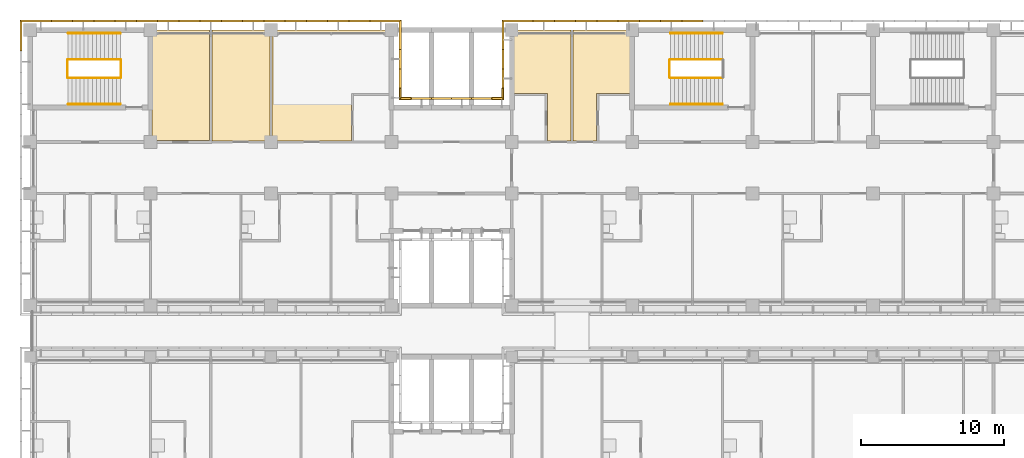
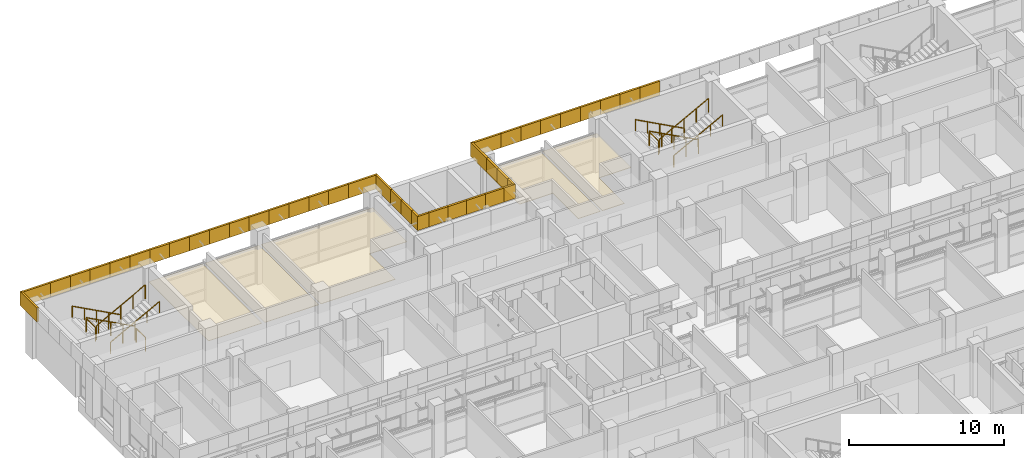
# One storey, part 134 of 137: 46 coverings, 11 railings.
"""IFC4 building model written with IfcOpenShell, lengths in metres."""

from ifc_helpers import new_model, si_unit, direction, frame, origin, origin_2d, place, context, subcontext, project, spatial, polyline, circle, outline, extrude, material, layer, layer_set, type_object, element, save


model = new_model("IFC4")

# Units and contexts
model_context = context("Model", 3, precision=1e-05, world=origin(), true_north=direction((0.0, 1.0)))
body_context = subcontext(model_context, "Body", "Model", "MODEL_VIEW")
ifc_project = project(units=[si_unit("LENGTHUNIT", "METRE"), si_unit("AREAUNIT", "SQUARE_METRE"), si_unit("VOLUMEUNIT", "CUBIC_METRE"), si_unit("PLANEANGLEUNIT", "RADIAN"), si_unit("MASSUNIT", "GRAM", prefix="KILO")], contexts=[model_context])

# Site, building, storey
site_placement = place(None, origin())
site = spatial("IfcSite", under=ifc_project, at=site_placement, CompositionType="ELEMENT")
building_placement = place(site_placement, origin())
building = spatial("IfcBuilding", under=site, at=building_placement, Name="Bougainvillea Quay General Hospital", CompositionType="ELEMENT")
storey_placement = place(building_placement, frame((0.0, 0.0, 16.800048828125)))
storey = spatial("IfcBuildingStorey", under=building, at=storey_placement, Name="L03", CompositionType="ELEMENT", Elevation=16.800048828125)

# Coverings
ifc_material_1 = material(Name="Powder-coated aluminium fascia, white", Category="aluminium")
ifc_layer_1 = layer(ifc_material_1, 0.14990234375)
ifc_layer_set_1 = layer_set([ifc_layer_1], Name="Powder-coated aluminium fascia, white")
covering_type_1 = type_object("IfcCoveringType", Name="Aluminium fascia band white 150x1100", PredefinedType="CLADDING", material=ifc_layer_set_1)
covering_1_placement = place(storey_placement, frame((88.941162109375, 160.14990234375, 3.64990234375), z_axis=(0.0, 0.0, 1.0), x_axis=(-1.0, 0.0, 0.0)))
element("IfcCovering", 1, at=covering_1_placement, inside=storey, type_object=covering_type_1, Name="Fascia band white e0 126", PredefinedType="CLADDING", context=body_context, shape_type="SweptSolid", body=[
    extrude(outline(polyline([(0.0, 0.0), (1.482421875, 0.0), (1.482421875, -0.150146484375), (0.0, -0.150146484375), (0.0, 0.0)])), origin(), (0.0, 0.0, 1.0), 1.10009765625),
])
covering_2_placement = place(storey_placement, frame((87.458740234375, 160.14990234375, 3.64990234375), z_axis=(0.0, 0.0, 1.0), x_axis=(-1.0, 0.0, 0.0)))
element("IfcCovering", 2, at=covering_2_placement, inside=storey, type_object=covering_type_1, Name="Fascia band white e0 127", PredefinedType="CLADDING", context=body_context, shape_type="SweptSolid", body=[
    extrude(outline(polyline([(0.0, 0.0), (1.482177734375, 0.0), (1.482177734375, -0.150146484375), (0.0, -0.150146484375), (0.0, 0.0)])), origin(), (0.0, 0.0, 1.0), 1.10009765625),
])
for number, where, z_axis, x_axis, name in (
    (3, (85.9765625, 160.14990234375, 3.64990234375), (0.0, 0.0, 1.0), (-1.0, 0.0, 0.0), "Fascia band white e0 128"),
    (4, (84.494140625, 160.14990234375, 3.64990234375), (0.0, 0.0, 1.0), (-1.0, 0.0, 0.0), "Fascia band white e0 129"),
    (5, (83.01171875, 160.14990234375, 3.64990234375), (0.0, 0.0, 1.0), (-1.0, 0.0, 0.0), "Fascia band white e0 130"),
):
    element("IfcCovering", number, at=place(storey_placement, frame(where, z_axis=z_axis, x_axis=x_axis)), inside=storey, type_object=covering_type_1, Name=name, PredefinedType="CLADDING", context=body_context, shape_type="SweptSolid", body=[
        extrude(outline(polyline([(0.0, 0.0), (1.482421875, 0.0), (1.482421875, -0.150146484375), (0.0, -0.150146484375), (0.0, 0.0)])), origin(), (0.0, 0.0, 1.0), 1.10009765625),
    ])
covering_3_placement = place(storey_placement, frame((81.529296875, 160.14990234375, 3.64990234375), z_axis=(0.0, 0.0, 1.0), x_axis=(-1.0, 0.0, 0.0)))
element("IfcCovering", 6, at=covering_3_placement, inside=storey, type_object=covering_type_1, Name="Fascia band white e0 131", PredefinedType="CLADDING", context=body_context, shape_type="SweptSolid", body=[
    extrude(outline(polyline([(0.0, 0.0), (1.482177734375, 0.0), (1.482177734375, -0.150146484375), (0.0, -0.150146484375), (0.0, 0.0)])), origin(), (0.0, 0.0, 1.0), 1.10009765625),
])
for number, where, z_axis, x_axis, name in (
    (7, (80.047119140625, 160.14990234375, 3.64990234375), (0.0, 0.0, 1.0), (-1.0, 0.0, 0.0), "Fascia band white e0 132"),
    (8, (78.564697265625, 160.14990234375, 3.64990234375), (0.0, 0.0, 1.0), (-1.0, 0.0, 0.0), "Fascia band white e0 133"),
):
    element("IfcCovering", number, at=place(storey_placement, frame(where, z_axis=z_axis, x_axis=x_axis)), inside=storey, type_object=covering_type_1, Name=name, PredefinedType="CLADDING", context=body_context, shape_type="SweptSolid", body=[
        extrude(outline(polyline([(0.0, 0.0), (1.482421875, 0.0), (1.482421875, -0.150146484375), (0.0, -0.150146484375), (0.0, 0.0)])), origin(), (0.0, 0.0, 1.0), 1.10009765625),
    ])
covering_4_placement = place(storey_placement, frame((77.082275390625, 160.14990234375, 3.64990234375), z_axis=(0.0, 0.0, 1.0), x_axis=(-1.0, 0.0, 0.0)))
element("IfcCovering", 9, at=covering_4_placement, inside=storey, type_object=covering_type_1, Name="Fascia band white e0 134", PredefinedType="CLADDING", context=body_context, shape_type="SweptSolid", body=[
    extrude(outline(polyline([(0.0, 0.0), (2.0322265625, 0.0), (2.182373046875, -0.150146484375), (0.0, -0.150146484375), (0.0, 0.0)])), origin(), (0.0, 0.0, 1.0), 1.10009765625),
])
covering_5_placement = place(storey_placement, frame((75.050048828125, 160.14990234375, 3.64990234375), z_axis=(0.0, 0.0, 1.0), x_axis=(0.0, -1.0, 0.0)))
element("IfcCovering", 10, at=covering_5_placement, inside=storey, type_object=covering_type_1, Name="Fascia band white e0 135", PredefinedType="CLADDING", context=body_context, shape_type="SweptSolid", body=[
    extrude(outline(polyline([(0.0, 0.0), (1.89990234375, 0.0), (1.89990234375, -0.150146484375), (-0.150146484375, -0.150146484375), (0.0, 0.0)])), origin(), (0.0, 0.0, 1.0), 1.10009765625),
])
covering_6_placement = place(storey_placement, frame((75.050048828125, 158.25, 3.64990234375), z_axis=(0.0, 0.0, 1.0), x_axis=(0.0, -1.0, 0.0)))
element("IfcCovering", 11, at=covering_6_placement, inside=storey, type_object=covering_type_1, Name="Fascia band white e0 136", PredefinedType="CLADDING", context=body_context, shape_type="SweptSolid", body=[
    extrude(outline(polyline([(0.0, 0.0), (1.35009765625, 0.0), (1.35009765625, -0.150146484375), (0.0, -0.150146484375), (0.0, 0.0)])), origin(), (0.0, 0.0, 1.0), 1.10009765625),
])
covering_7_placement = place(storey_placement, frame((75.050048828125, 156.89990234375, 3.64990234375), z_axis=(0.0, 0.0, 1.0), x_axis=(0.0, -1.0, 0.0)))
element("IfcCovering", 12, at=covering_7_placement, inside=storey, type_object=covering_type_1, Name="Fascia band white e0 137", PredefinedType="CLADDING", context=body_context, shape_type="SweptSolid", body=[
    extrude(outline(polyline([(0.0, 0.0), (1.349853515625, 0.0), (1.349853515625, -0.150146484375), (0.0, -0.150146484375), (0.0, 0.0)])), origin(), (0.0, 0.0, 1.0), 1.10009765625),
])
covering_8_placement = place(storey_placement, frame((75.050048828125, 155.550048828125, 3.64990234375), z_axis=(0.0, 0.0, 1.0), x_axis=(0.0, -1.0, 0.0)))
element("IfcCovering", 13, at=covering_8_placement, inside=storey, type_object=covering_type_1, Name="Fascia band white e0 138", PredefinedType="CLADDING", context=body_context, shape_type="SweptSolid", body=[
    extrude(outline(polyline([(0.0, 0.0), (0.800048828125, 0.0), (0.650146484375, -0.150146484375), (0.0, -0.150146484375), (0.0, 0.0)])), origin(), (0.0, 0.0, 1.0), 1.10009765625),
])
covering_9_placement = place(storey_placement, frame((75.050048828125, 154.75, 3.64990234375), z_axis=(0.0, 0.0, 1.0), x_axis=(-1.0, 0.0, 0.0)))
element("IfcCovering", 14, at=covering_9_placement, inside=storey, type_object=covering_type_1, Name="Fascia band white e0 139", PredefinedType="CLADDING", context=body_context, shape_type="SweptSolid", body=[
    extrude(outline(polyline([(0.0, 0.0), (0.85009765625, 0.0), (0.85009765625, -0.14990234375), (0.150146484375, -0.14990234375), (0.0, 0.0)])), origin(), (0.0, 0.0, 1.0), 1.10009765625),
])
covering_10_placement = place(storey_placement, frame((74.199951171875, 154.75, 3.64990234375), z_axis=(0.0, 0.0, 1.0), x_axis=(-1.0, 0.0, 0.0)))
element("IfcCovering", 15, at=covering_10_placement, inside=storey, type_object=covering_type_1, Name="Fascia band white e0 140", PredefinedType="CLADDING", context=body_context, shape_type="SweptSolid", body=[
    extrude(outline(polyline([(0.0, 0.0), (1.39990234375, 0.0), (1.39990234375, -0.14990234375), (0.0, -0.14990234375), (0.0, 0.0)])), origin(), (0.0, 0.0, 1.0), 1.10009765625),
])
covering_11_placement = place(storey_placement, frame((72.800048828125, 154.75, 3.64990234375), z_axis=(0.0, 0.0, 1.0), x_axis=(-1.0, 0.0, 0.0)))
element("IfcCovering", 16, at=covering_11_placement, inside=storey, type_object=covering_type_1, Name="Fascia band white e0 141", PredefinedType="CLADDING", context=body_context, shape_type="SweptSolid", body=[
    extrude(outline(polyline([(0.0, 0.0), (1.400146484375, 0.0), (1.400146484375, -0.14990234375), (0.0, -0.14990234375), (0.0, 0.0)])), origin(), (0.0, 0.0, 1.0), 1.10009765625),
])
for number, where, z_axis, x_axis, name in (
    (17, (71.39990234375, 154.75, 3.64990234375), (0.0, 0.0, 1.0), (-1.0, 0.0, 0.0), "Fascia band white e0 142"),
    (18, (70.0, 154.75, 3.64990234375), (0.0, 0.0, 1.0), (-1.0, 0.0, 0.0), "Fascia band white e0 143"),
):
    element("IfcCovering", number, at=place(storey_placement, frame(where, z_axis=z_axis, x_axis=x_axis)), inside=storey, type_object=covering_type_1, Name=name, PredefinedType="CLADDING", context=body_context, shape_type="SweptSolid", body=[
        extrude(outline(polyline([(0.0, 0.0), (1.39990234375, 0.0), (1.39990234375, -0.14990234375), (0.0, -0.14990234375), (0.0, 0.0)])), origin(), (0.0, 0.0, 1.0), 1.10009765625),
    ])
covering_12_placement = place(storey_placement, frame((68.60009765625, 154.75, 3.64990234375), z_axis=(0.0, 0.0, 1.0), x_axis=(-1.0, 0.0, 0.0)))
element("IfcCovering", 19, at=covering_12_placement, inside=storey, type_object=covering_type_1, Name="Fascia band white e0 144", PredefinedType="CLADDING", context=body_context, shape_type="SweptSolid", body=[
    extrude(outline(polyline([(0.0, 0.0), (0.85009765625, 0.0), (0.7001953125, -0.14990234375), (0.0, -0.14990234375), (0.0, 0.0)])), origin(), (0.0, 0.0, 1.0), 1.10009765625),
])
covering_13_placement = place(storey_placement, frame((67.75, 154.75, 3.64990234375), z_axis=(0.0, 0.0, 1.0), x_axis=(0.0, 1.0, 0.0)))
element("IfcCovering", 20, at=covering_13_placement, inside=storey, type_object=covering_type_1, Name="Fascia band white e0 145", PredefinedType="CLADDING", context=body_context, shape_type="SweptSolid", body=[
    extrude(outline(polyline([(0.0, 0.0), (0.800048828125, 0.0), (0.800048828125, -0.14990234375), (0.14990234375, -0.14990234375), (0.0, 0.0)])), origin(), (0.0, 0.0, 1.0), 1.10009765625),
])
covering_14_placement = place(storey_placement, frame((67.75, 155.550048828125, 3.64990234375), z_axis=(0.0, 0.0, 1.0), x_axis=(0.0, 1.0, 0.0)))
element("IfcCovering", 21, at=covering_14_placement, inside=storey, type_object=covering_type_1, Name="Fascia band white e0 146", PredefinedType="CLADDING", context=body_context, shape_type="SweptSolid", body=[
    extrude(outline(polyline([(0.0, 0.0), (1.349853515625, 0.0), (1.349853515625, -0.14990234375), (0.0, -0.14990234375), (0.0, 0.0)])), origin(), (0.0, 0.0, 1.0), 1.10009765625),
])
covering_15_placement = place(storey_placement, frame((67.75, 156.89990234375, 3.64990234375), z_axis=(0.0, 0.0, 1.0), x_axis=(0.0, 1.0, 0.0)))
element("IfcCovering", 22, at=covering_15_placement, inside=storey, type_object=covering_type_1, Name="Fascia band white e0 147", PredefinedType="CLADDING", context=body_context, shape_type="SweptSolid", body=[
    extrude(outline(polyline([(0.0, 0.0), (1.35009765625, 0.0), (1.35009765625, -0.14990234375), (0.0, -0.14990234375), (0.0, 0.0)])), origin(), (0.0, 0.0, 1.0), 1.10009765625),
])
covering_16_placement = place(storey_placement, frame((67.75, 158.25, 3.64990234375), z_axis=(0.0, 0.0, 1.0), x_axis=(0.0, 1.0, 0.0)))
element("IfcCovering", 23, at=covering_16_placement, inside=storey, type_object=covering_type_1, Name="Fascia band white e0 148", PredefinedType="CLADDING", context=body_context, shape_type="SweptSolid", body=[
    extrude(outline(polyline([(0.0, 0.0), (1.89990234375, 0.0), (2.050048828125, -0.14990234375), (0.0, -0.14990234375), (0.0, 0.0)])), origin(), (0.0, 0.0, 1.0), 1.10009765625),
])
covering_17_placement = place(storey_placement, frame((67.75, 160.14990234375, 3.64990234375), z_axis=(0.0, 0.0, 1.0), x_axis=(-1.0, 0.0, 0.0)))
element("IfcCovering", 24, at=covering_17_placement, inside=storey, type_object=covering_type_1, Name="Fascia band white e0 149", PredefinedType="CLADDING", context=body_context, shape_type="SweptSolid", body=[
    extrude(outline(polyline([(0.0, 0.0), (2.032470703125, 0.0), (2.032470703125, -0.150146484375), (-0.14990234375, -0.150146484375), (0.0, 0.0)])), origin(), (0.0, 0.0, 1.0), 1.10009765625),
])
covering_18_placement = place(storey_placement, frame((65.717529296875, 160.14990234375, 3.64990234375), z_axis=(0.0, 0.0, 1.0), x_axis=(-1.0, 0.0, 0.0)))
element("IfcCovering", 25, at=covering_18_placement, inside=storey, type_object=covering_type_1, Name="Fascia band white e0 150", PredefinedType="CLADDING", context=body_context, shape_type="SweptSolid", body=[
    extrude(outline(polyline([(0.0, 0.0), (1.482177734375, 0.0), (1.482177734375, -0.150146484375), (0.0, -0.150146484375), (0.0, 0.0)])), origin(), (0.0, 0.0, 1.0), 1.10009765625),
])
for number, where, z_axis, x_axis, name in (
    (26, (64.2353515625, 160.14990234375, 3.64990234375), (0.0, 0.0, 1.0), (-1.0, 0.0, 0.0), "Fascia band white e0 151"),
    (27, (62.7529296875, 160.14990234375, 3.64990234375), (0.0, 0.0, 1.0), (-1.0, 0.0, 0.0), "Fascia band white e0 152"),
):
    element("IfcCovering", number, at=place(storey_placement, frame(where, z_axis=z_axis, x_axis=x_axis)), inside=storey, type_object=covering_type_1, Name=name, PredefinedType="CLADDING", context=body_context, shape_type="SweptSolid", body=[
        extrude(outline(polyline([(0.0, 0.0), (1.482421875, 0.0), (1.482421875, -0.150146484375), (0.0, -0.150146484375), (0.0, 0.0)])), origin(), (0.0, 0.0, 1.0), 1.10009765625),
    ])
covering_19_placement = place(storey_placement, frame((61.2705078125, 160.14990234375, 3.64990234375), z_axis=(0.0, 0.0, 1.0), x_axis=(-1.0, 0.0, 0.0)))
element("IfcCovering", 28, at=covering_19_placement, inside=storey, type_object=covering_type_1, Name="Fascia band white e0 153", PredefinedType="CLADDING", context=body_context, shape_type="SweptSolid", body=[
    extrude(outline(polyline([(0.0, 0.0), (1.482177734375, 0.0), (1.482177734375, -0.150146484375), (0.0, -0.150146484375), (0.0, 0.0)])), origin(), (0.0, 0.0, 1.0), 1.10009765625),
])
for number, where, z_axis, x_axis, name in (
    (29, (59.788330078125, 160.14990234375, 3.64990234375), (0.0, 0.0, 1.0), (-1.0, 0.0, 0.0), "Fascia band white e0 154"),
    (30, (58.305908203125, 160.14990234375, 3.64990234375), (0.0, 0.0, 1.0), (-1.0, 0.0, 0.0), "Fascia band white e0 155"),
    (31, (56.823486328125, 160.14990234375, 3.64990234375), (0.0, 0.0, 1.0), (-1.0, 0.0, 0.0), "Fascia band white e0 156"),
):
    element("IfcCovering", number, at=place(storey_placement, frame(where, z_axis=z_axis, x_axis=x_axis)), inside=storey, type_object=covering_type_1, Name=name, PredefinedType="CLADDING", context=body_context, shape_type="SweptSolid", body=[
        extrude(outline(polyline([(0.0, 0.0), (1.482421875, 0.0), (1.482421875, -0.150146484375), (0.0, -0.150146484375), (0.0, 0.0)])), origin(), (0.0, 0.0, 1.0), 1.10009765625),
    ])
covering_20_placement = place(storey_placement, frame((55.341064453125, 160.14990234375, 3.64990234375), z_axis=(0.0, 0.0, 1.0), x_axis=(-1.0, 0.0, 0.0)))
element("IfcCovering", 32, at=covering_20_placement, inside=storey, type_object=covering_type_1, Name="Fascia band white e0 157", PredefinedType="CLADDING", context=body_context, shape_type="SweptSolid", body=[
    extrude(outline(polyline([(0.0, 0.0), (1.482177734375, 0.0), (1.482177734375, -0.150146484375), (0.0, -0.150146484375), (0.0, 0.0)])), origin(), (0.0, 0.0, 1.0), 1.10009765625),
])
for number, where, z_axis, x_axis, name in (
    (33, (53.85888671875, 160.14990234375, 3.64990234375), (0.0, 0.0, 1.0), (-1.0, 0.0, 0.0), "Fascia band white e0 158"),
    (34, (52.37646484375, 160.14990234375, 3.64990234375), (0.0, 0.0, 1.0), (-1.0, 0.0, 0.0), "Fascia band white e0 159"),
):
    element("IfcCovering", number, at=place(storey_placement, frame(where, z_axis=z_axis, x_axis=x_axis)), inside=storey, type_object=covering_type_1, Name=name, PredefinedType="CLADDING", context=body_context, shape_type="SweptSolid", body=[
        extrude(outline(polyline([(0.0, 0.0), (1.482421875, 0.0), (1.482421875, -0.150146484375), (0.0, -0.150146484375), (0.0, 0.0)])), origin(), (0.0, 0.0, 1.0), 1.10009765625),
    ])
covering_21_placement = place(storey_placement, frame((50.89404296875, 160.14990234375, 3.64990234375), z_axis=(0.0, 0.0, 1.0), x_axis=(-1.0, 0.0, 0.0)))
element("IfcCovering", 35, at=covering_21_placement, inside=storey, type_object=covering_type_1, Name="Fascia band white e0 160", PredefinedType="CLADDING", context=body_context, shape_type="SweptSolid", body=[
    extrude(outline(polyline([(0.0, 0.0), (1.482177734375, 0.0), (1.482177734375, -0.150146484375), (0.0, -0.150146484375), (0.0, 0.0)])), origin(), (0.0, 0.0, 1.0), 1.10009765625),
])
for number, where, z_axis, x_axis, name in (
    (36, (49.411865234375, 160.14990234375, 3.64990234375), (0.0, 0.0, 1.0), (-1.0, 0.0, 0.0), "Fascia band white e0 161"),
    (37, (47.929443359375, 160.14990234375, 3.64990234375), (0.0, 0.0, 1.0), (-1.0, 0.0, 0.0), "Fascia band white e0 162"),
    (38, (46.447021484375, 160.14990234375, 3.64990234375), (0.0, 0.0, 1.0), (-1.0, 0.0, 0.0), "Fascia band white e0 163"),
):
    element("IfcCovering", number, at=place(storey_placement, frame(where, z_axis=z_axis, x_axis=x_axis)), inside=storey, type_object=covering_type_1, Name=name, PredefinedType="CLADDING", context=body_context, shape_type="SweptSolid", body=[
        extrude(outline(polyline([(0.0, 0.0), (1.482421875, 0.0), (1.482421875, -0.150146484375), (0.0, -0.150146484375), (0.0, 0.0)])), origin(), (0.0, 0.0, 1.0), 1.10009765625),
    ])
covering_22_placement = place(storey_placement, frame((44.964599609375, 160.14990234375, 3.64990234375), z_axis=(0.0, 0.0, 1.0), x_axis=(-1.0, 0.0, 0.0)))
element("IfcCovering", 39, at=covering_22_placement, inside=storey, type_object=covering_type_1, Name="Fascia band white e0 164", PredefinedType="CLADDING", context=body_context, shape_type="SweptSolid", body=[
    extrude(outline(polyline([(0.0, 0.0), (1.482177734375, 0.0), (1.482177734375, -0.150146484375), (0.0, -0.150146484375), (0.0, 0.0)])), origin(), (0.0, 0.0, 1.0), 1.10009765625),
])
covering_23_placement = place(storey_placement, frame((43.482421875, 160.14990234375, 3.64990234375), z_axis=(0.0, 0.0, 1.0), x_axis=(-1.0, 0.0, 0.0)))
element("IfcCovering", 40, at=covering_23_placement, inside=storey, type_object=covering_type_1, Name="Fascia band white e0 165", PredefinedType="CLADDING", context=body_context, shape_type="SweptSolid", body=[
    extrude(outline(polyline([(0.0, 0.0), (2.032470703125, 0.0), (2.182373046875, -0.150146484375), (0.0, -0.150146484375), (0.0, 0.0)])), origin(), (0.0, 0.0, 1.0), 1.10009765625),
])
covering_24_placement = place(storey_placement, frame((41.449951171875, 160.14990234375, 3.64990234375), z_axis=(0.0, 0.0, 1.0), x_axis=(0.0, -1.0, 0.0)))
element("IfcCovering", 41, at=covering_24_placement, inside=storey, type_object=covering_type_1, Name="Fascia band white e0 166", PredefinedType="CLADDING", context=body_context, shape_type="SweptSolid", body=[
    extrude(outline(polyline([(0.0, 0.0), (2.02685546875, 0.0), (2.02685546875, -0.14990234375), (-0.150146484375, -0.14990234375), (0.0, 0.0)])), origin(), (0.0, 0.0, 1.0), 1.10009765625),
])

# Railings
ifc_material_2 = material(Name="Stainless steel 304 balustrade", Category="steel")
railing_type_1 = type_object("IfcRailingType", Name="Stair guard 1100", PredefinedType="GUARDRAIL", material=ifc_material_2)
railing_1_placement = place(storey_placement, frame((48.300048828125, 157.550048828125, 0.14990234375)))
element("IfcRailing", 42, at=railing_1_placement, inside=storey, type_object=railing_type_1, Name="L03 ST-A1 stair guard 1", PredefinedType="GUARDRAIL", context=body_context, shape_type="SweptSolid", body=[
    extrude(circle(Radius=0.02392578125, at=origin_2d()), frame((0.0, 0.0, 1.076171875), z_axis=(-0.881492274372, 0.0, 0.472198443689), x_axis=(0.0, -1.0, 0.0)), (0.0, 0.0, 1.0), 4.12939453125),
    extrude(circle(Radius=0.02099609375, at=origin_2d()), origin(), (0.0, 0.0, 1.0), 1.052001953125),
    extrude(circle(Radius=0.02099609375, at=origin_2d()), frame((-0.91015625, 0.0, 0.487548828125)), (0.0, 0.0, 1.0), 1.052001953125),
    extrude(circle(Radius=0.02099609375, at=origin_2d()), frame((-1.820068359375, 0.0, 0.97509765625)), (0.0, 0.0, 1.0), 1.052001953125),
    extrude(circle(Radius=0.02099609375, at=origin_2d()), frame((-2.72998046875, 0.0, 1.46240234375)), (0.0, 0.0, 1.0), 1.052001953125),
    extrude(circle(Radius=0.02099609375, at=origin_2d()), frame((-3.64013671875, 0.0, 1.949951171875)), (0.0, 0.0, 1.0), 1.052001953125),
])
railing_2_placement = place(storey_placement, frame((44.610107421875, 157.5, 2.099853515625)))
element("IfcRailing", 43, at=railing_2_placement, inside=storey, type_object=railing_type_1, Name="L03 ST-A1 stair guard 2", PredefinedType="GUARDRAIL", context=body_context, shape_type="SweptSolid", body=[
    extrude(circle(Radius=0.02392578125, at=origin_2d()), frame((0.0, 0.0, 1.076171875), z_axis=(0.0, -1.0, 0.0), x_axis=(1.0, 0.0, 0.0)), (0.0, 0.0, 1.0), 1.199951171875),
    extrude(circle(Radius=0.02099609375, at=origin_2d()), origin(), (0.0, 0.0, 1.0), 1.052001953125),
    extrude(circle(Radius=0.02099609375, at=origin_2d()), frame((0.0, -1.199951171875, 0.0)), (0.0, 0.0, 1.0), 1.052001953125),
])
railing_3_placement = place(storey_placement, frame((44.659912109375, 156.25, 2.25)))
element("IfcRailing", 44, at=railing_3_placement, inside=storey, type_object=railing_type_1, Name="L03 ST-A1 stair guard 3", PredefinedType="GUARDRAIL", context=body_context, shape_type="SweptSolid", body=[
    extrude(circle(Radius=0.02392578125, at=origin_2d()), frame((0.0, 0.0, 1.076171875), z_axis=(0.881492274372, 0.0, 0.472198443689), x_axis=(0.0, 1.0, 0.0)), (0.0, 0.0, 1.0), 4.12939453125),
    extrude(circle(Radius=0.02099609375, at=origin_2d()), origin(), (0.0, 0.0, 1.0), 1.052001953125),
    extrude(circle(Radius=0.02099609375, at=origin_2d()), frame((0.91015625, 0.0, 0.487548828125)), (0.0, 0.0, 1.0), 1.052001953125),
    extrude(circle(Radius=0.02099609375, at=origin_2d()), frame((1.820068359375, 0.0, 0.97509765625)), (0.0, 0.0, 1.0), 1.052001953125),
    extrude(circle(Radius=0.02099609375, at=origin_2d()), frame((2.72998046875, 0.0, 1.46240234375)), (0.0, 0.0, 1.0), 1.052001953125),
    extrude(circle(Radius=0.02099609375, at=origin_2d()), frame((3.64013671875, 0.0, 1.949951171875)), (0.0, 0.0, 1.0), 1.052001953125),
])
railing_4_placement = place(storey_placement, frame((48.35009765625, 157.5, 0.0)))
element("IfcRailing", 45, at=railing_4_placement, inside=storey, type_object=railing_type_1, Name="L03 ST-A1 stair guard 4", PredefinedType="GUARDRAIL", context=body_context, shape_type="SweptSolid", body=[
    extrude(circle(Radius=0.02392578125, at=origin_2d()), frame((0.0, 0.0, 1.076171875), z_axis=(0.0, -1.0, 0.0), x_axis=(1.0, 0.0, 0.0)), (0.0, 0.0, 1.0), 1.199951171875),
    extrude(circle(Radius=0.02099609375, at=origin_2d()), origin(), (0.0, 0.0, 1.0), 1.052001953125),
    extrude(circle(Radius=0.02099609375, at=origin_2d()), frame((0.0, -1.199951171875, 0.0)), (0.0, 0.0, 1.0), 1.052001953125),
])
railing_5_placement = place(storey_placement, frame((90.300048828125, 157.550048828125, 0.14990234375)))
element("IfcRailing", 46, at=railing_5_placement, inside=storey, type_object=railing_type_1, Name="L03 ST-A2 stair guard 1", PredefinedType="GUARDRAIL", context=body_context, shape_type="SweptSolid", body=[
    extrude(circle(Radius=0.02392578125, at=origin_2d()), frame((0.0, 0.0, 1.076171875), z_axis=(-0.881492274372, 0.0, 0.472198443689), x_axis=(0.0, -1.0, 0.0)), (0.0, 0.0, 1.0), 4.12939453125),
    extrude(circle(Radius=0.02099609375, at=origin_2d()), origin(), (0.0, 0.0, 1.0), 1.052001953125),
    extrude(circle(Radius=0.02099609375, at=origin_2d()), frame((-0.91015625, 0.0, 0.487548828125)), (0.0, 0.0, 1.0), 1.052001953125),
    extrude(circle(Radius=0.02099609375, at=origin_2d()), frame((-1.820068359375, 0.0, 0.97509765625)), (0.0, 0.0, 1.0), 1.052001953125),
    extrude(circle(Radius=0.02099609375, at=origin_2d()), frame((-2.72998046875, 0.0, 1.46240234375)), (0.0, 0.0, 1.0), 1.052001953125),
    extrude(circle(Radius=0.02099609375, at=origin_2d()), frame((-3.64013671875, 0.0, 1.949951171875)), (0.0, 0.0, 1.0), 1.052001953125),
])
railing_6_placement = place(storey_placement, frame((86.610107421875, 157.5, 2.099853515625)))
element("IfcRailing", 47, at=railing_6_placement, inside=storey, type_object=railing_type_1, Name="L03 ST-A2 stair guard 2", PredefinedType="GUARDRAIL", context=body_context, shape_type="SweptSolid", body=[
    extrude(circle(Radius=0.02392578125, at=origin_2d()), frame((0.0, 0.0, 1.076171875), z_axis=(0.0, -1.0, 0.0), x_axis=(1.0, 0.0, 0.0)), (0.0, 0.0, 1.0), 1.199951171875),
    extrude(circle(Radius=0.02099609375, at=origin_2d()), origin(), (0.0, 0.0, 1.0), 1.052001953125),
    extrude(circle(Radius=0.02099609375, at=origin_2d()), frame((0.0, -1.199951171875, 0.0)), (0.0, 0.0, 1.0), 1.052001953125),
])
railing_7_placement = place(storey_placement, frame((86.659912109375, 156.25, 2.25)))
element("IfcRailing", 48, at=railing_7_placement, inside=storey, type_object=railing_type_1, Name="L03 ST-A2 stair guard 3", PredefinedType="GUARDRAIL", context=body_context, shape_type="SweptSolid", body=[
    extrude(circle(Radius=0.02392578125, at=origin_2d()), frame((0.0, 0.0, 1.076171875), z_axis=(0.881492274372, 0.0, 0.472198443689), x_axis=(0.0, 1.0, 0.0)), (0.0, 0.0, 1.0), 4.12939453125),
    extrude(circle(Radius=0.02099609375, at=origin_2d()), origin(), (0.0, 0.0, 1.0), 1.052001953125),
    extrude(circle(Radius=0.02099609375, at=origin_2d()), frame((0.91015625, 0.0, 0.487548828125)), (0.0, 0.0, 1.0), 1.052001953125),
    extrude(circle(Radius=0.02099609375, at=origin_2d()), frame((1.820068359375, 0.0, 0.97509765625)), (0.0, 0.0, 1.0), 1.052001953125),
    extrude(circle(Radius=0.02099609375, at=origin_2d()), frame((2.72998046875, 0.0, 1.46240234375)), (0.0, 0.0, 1.0), 1.052001953125),
    extrude(circle(Radius=0.02099609375, at=origin_2d()), frame((3.64013671875, 0.0, 1.949951171875)), (0.0, 0.0, 1.0), 1.052001953125),
])
ifc_material_3 = material(Name="Stainless steel 304 handrail", Category="steel")
railing_type_2 = type_object("IfcRailingType", Name="Stair handrail 900", PredefinedType="HANDRAIL", material=ifc_material_3)
railing_8_placement = place(storey_placement, frame((48.300048828125, 159.375, 0.14990234375)))
element("IfcRailing", 49, at=railing_8_placement, inside=storey, type_object=railing_type_2, Name="L03 ST-A1 stair handrail 1", PredefinedType="HANDRAIL", context=body_context, shape_type="SweptSolid", body=[
    extrude(circle(Radius=0.02392578125, at=origin_2d()), frame((0.0, 0.0, 0.8759765625), z_axis=(-0.881492274372, 0.0, 0.472198443689), x_axis=(0.0, -1.0, 0.0)), (0.0, 0.0, 1.0), 4.12939453125),
    extrude(circle(Radius=0.02099609375, at=origin_2d()), origin(), (0.0, 0.0, 1.0), 0.851806640625),
    extrude(circle(Radius=0.02099609375, at=origin_2d()), frame((-0.91015625, 0.0, 0.487548828125)), (0.0, 0.0, 1.0), 0.851806640625),
    extrude(circle(Radius=0.02099609375, at=origin_2d()), frame((-1.820068359375, 0.0, 0.97509765625)), (0.0, 0.0, 1.0), 0.851806640625),
    extrude(circle(Radius=0.02099609375, at=origin_2d()), frame((-2.72998046875, 0.0, 1.46240234375)), (0.0, 0.0, 1.0), 0.851806640625),
    extrude(circle(Radius=0.02099609375, at=origin_2d()), frame((-3.64013671875, 0.0, 1.949951171875)), (0.0, 0.0, 1.0), 0.851806640625),
])
railing_9_placement = place(storey_placement, frame((44.659912109375, 154.425048828125, 2.25)))
element("IfcRailing", 50, at=railing_9_placement, inside=storey, type_object=railing_type_2, Name="L03 ST-A1 stair handrail 2", PredefinedType="HANDRAIL", context=body_context, shape_type="SweptSolid", body=[
    extrude(circle(Radius=0.02392578125, at=origin_2d()), frame((0.0, 0.0, 0.8759765625), z_axis=(0.881492274372, 0.0, 0.472198443689), x_axis=(0.0, 1.0, 0.0)), (0.0, 0.0, 1.0), 4.12939453125),
    extrude(circle(Radius=0.02099609375, at=origin_2d()), origin(), (0.0, 0.0, 1.0), 0.851806640625),
    extrude(circle(Radius=0.02099609375, at=origin_2d()), frame((0.91015625, 0.0, 0.487548828125)), (0.0, 0.0, 1.0), 0.851806640625),
    extrude(circle(Radius=0.02099609375, at=origin_2d()), frame((1.820068359375, 0.0, 0.97509765625)), (0.0, 0.0, 1.0), 0.851806640625),
    extrude(circle(Radius=0.02099609375, at=origin_2d()), frame((2.72998046875, 0.0, 1.46240234375)), (0.0, 0.0, 1.0), 0.851806640625),
    extrude(circle(Radius=0.02099609375, at=origin_2d()), frame((3.64013671875, 0.0, 1.949951171875)), (0.0, 0.0, 1.0), 0.851806640625),
])
railing_10_placement = place(storey_placement, frame((90.300048828125, 159.375, 0.14990234375)))
element("IfcRailing", 51, at=railing_10_placement, inside=storey, type_object=railing_type_2, Name="L03 ST-A2 stair handrail 1", PredefinedType="HANDRAIL", context=body_context, shape_type="SweptSolid", body=[
    extrude(circle(Radius=0.02392578125, at=origin_2d()), frame((0.0, 0.0, 0.8759765625), z_axis=(-0.881492274372, 0.0, 0.472198443689), x_axis=(0.0, -1.0, 0.0)), (0.0, 0.0, 1.0), 4.12939453125),
    extrude(circle(Radius=0.02099609375, at=origin_2d()), origin(), (0.0, 0.0, 1.0), 0.851806640625),
    extrude(circle(Radius=0.02099609375, at=origin_2d()), frame((-0.91015625, 0.0, 0.487548828125)), (0.0, 0.0, 1.0), 0.851806640625),
    extrude(circle(Radius=0.02099609375, at=origin_2d()), frame((-1.820068359375, 0.0, 0.97509765625)), (0.0, 0.0, 1.0), 0.851806640625),
    extrude(circle(Radius=0.02099609375, at=origin_2d()), frame((-2.72998046875, 0.0, 1.46240234375)), (0.0, 0.0, 1.0), 0.851806640625),
    extrude(circle(Radius=0.02099609375, at=origin_2d()), frame((-3.64013671875, 0.0, 1.949951171875)), (0.0, 0.0, 1.0), 0.851806640625),
])
railing_11_placement = place(storey_placement, frame((86.659912109375, 154.425048828125, 2.25)))
element("IfcRailing", 52, at=railing_11_placement, inside=storey, type_object=railing_type_2, Name="L03 ST-A2 stair handrail 2", PredefinedType="HANDRAIL", context=body_context, shape_type="SweptSolid", body=[
    extrude(circle(Radius=0.02392578125, at=origin_2d()), frame((0.0, 0.0, 0.8759765625), z_axis=(0.881492274372, 0.0, 0.472198443689), x_axis=(0.0, 1.0, 0.0)), (0.0, 0.0, 1.0), 4.12939453125),
    extrude(circle(Radius=0.02099609375, at=origin_2d()), origin(), (0.0, 0.0, 1.0), 0.851806640625),
    extrude(circle(Radius=0.02099609375, at=origin_2d()), frame((0.91015625, 0.0, 0.487548828125)), (0.0, 0.0, 1.0), 0.851806640625),
    extrude(circle(Radius=0.02099609375, at=origin_2d()), frame((1.820068359375, 0.0, 0.97509765625)), (0.0, 0.0, 1.0), 0.851806640625),
    extrude(circle(Radius=0.02099609375, at=origin_2d()), frame((2.72998046875, 0.0, 1.46240234375)), (0.0, 0.0, 1.0), 0.851806640625),
    extrude(circle(Radius=0.02099609375, at=origin_2d()), frame((3.64013671875, 0.0, 1.949951171875)), (0.0, 0.0, 1.0), 0.851806640625),
])

# Coverings
ifc_material_4 = material(Name="Mineral fibre ceiling tile")
ifc_layer_2 = layer(ifc_material_4, 0.030029296875)
ifc_layer_set_2 = layer_set([ifc_layer_2], Name="Mineral fibre ceiling tile")
covering_type_2 = type_object("IfcCoveringType", Name="Suspended ceiling mineral fibre tile", PredefinedType="CEILING", material=ifc_layer_set_2)
covering_25_placement = place(storey_placement, frame((0.0, 0.0, 2.699951171875)))
element("IfcCovering", 53, at=covering_25_placement, inside=storey, type_object=covering_type_2, Name="Ceiling Refuge Room RR-A1-L03", PredefinedType="CEILING", context=body_context, shape_type="SweptSolid", body=[
    extrude(outline(polyline([(50.5, 159.60009765625), (50.5, 151.89990234375), (54.5, 151.89990234375), (54.5, 159.60009765625), (50.5, 159.60009765625)])), origin(), (0.0, 0.0, 1.0), 0.030029296875),
])
covering_26_placement = place(storey_placement, frame((0.0, 0.0, 2.699951171875)))
element("IfcCovering", 54, at=covering_26_placement, inside=storey, type_object=covering_type_2, Name="Ceiling Treatment and Clean Utility Room 03A06", PredefinedType="CEILING", context=body_context, shape_type="SweptSolid", body=[
    extrude(outline(polyline([(54.699951171875, 159.60009765625), (54.699951171875, 151.875), (58.72509765625, 151.875), (58.72509765625, 159.60009765625), (54.699951171875, 159.60009765625)])), origin(), (0.0, 0.0, 1.0), 0.030029296875),
])
covering_27_placement = place(storey_placement, frame((0.0, 0.0, 2.699951171875)))
element("IfcCovering", 55, at=covering_27_placement, inside=storey, type_object=covering_type_2, Name="Ceiling Antenatal Ward Room 03A07", PredefinedType="CEILING", context=body_context, shape_type="SweptSolid", body=[
    extrude(outline(polyline([(58.875, 159.60009765625), (58.875, 151.875), (64.425048828125, 151.875), (64.425048828125, 155.175048828125), (67.199951171875, 155.175048828125), (67.199951171875, 159.60009765625), (58.875, 159.60009765625)])), origin(), (0.0, 0.0, 1.0), 0.030029296875),
])
covering_28_placement = place(storey_placement, frame((0.0, 0.0, 2.699951171875)))
element("IfcCovering", 56, at=covering_28_placement, inside=storey, type_object=covering_type_2, Name="Ceiling Gynaecology Patient Room 03A09", PredefinedType="CEILING", context=body_context, shape_type="SweptSolid", body=[
    extrude(outline(polyline([(75.60009765625, 159.60009765625), (75.60009765625, 155.175048828125), (78.074951171875, 155.175048828125), (78.074951171875, 151.875), (79.72509765625, 151.875), (79.72509765625, 159.60009765625), (75.60009765625, 159.60009765625)])), origin(), (0.0, 0.0, 1.0), 0.030029296875),
])
covering_29_placement = place(storey_placement, frame((0.0, 0.0, 2.699951171875)))
element("IfcCovering", 57, at=covering_29_placement, inside=storey, type_object=covering_type_2, Name="Ceiling Gynaecology Patient Room 03A10", PredefinedType="CEILING", context=body_context, shape_type="SweptSolid", body=[
    extrude(outline(polyline([(79.875, 159.60009765625), (79.875, 151.875), (81.52490234375, 151.875), (81.52490234375, 155.175048828125), (83.925048828125, 155.175048828125), (83.925048828125, 159.60009765625), (79.875, 159.60009765625)])), origin(), (0.0, 0.0, 1.0), 0.030029296875),
])

save(model, "model.ifc")
